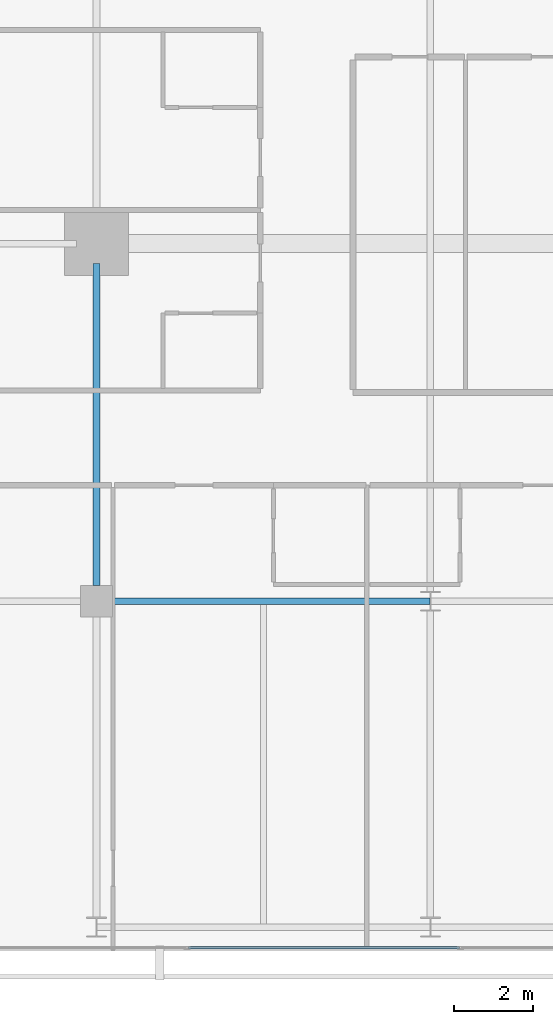
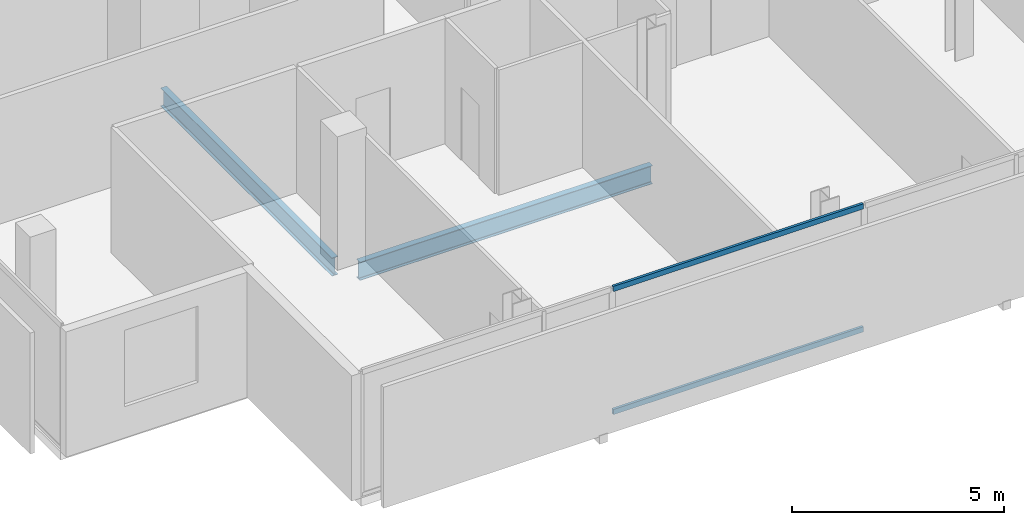
# One storey, part 5 of 25: 2 beams, 2 members, 1 element without a shape of its own.
"""IFC4 building model written with IfcOpenShell, lengths in metres."""

from ifc_helpers import new_model, si_unit, direction, frame, origin, origin_2d, place, context, subcontext, project, spatial, hollow_rectangle, i_section, extrude, material, layer, layer_set, material_profile, profile_set, type_object, element, aggregate, save


model = new_model("IFC4")

# Units and contexts
model_context = context("Model", 3, precision=1e-05, world=origin(), true_north=direction((0.0, 1.0)))
body_context = subcontext(model_context, "Body", "Model", "MODEL_VIEW")
ifc_project = project(units=[si_unit("LENGTHUNIT", "METRE"), si_unit("AREAUNIT", "SQUARE_METRE"), si_unit("VOLUMEUNIT", "CUBIC_METRE"), si_unit("PLANEANGLEUNIT", "RADIAN"), si_unit("MASSUNIT", "GRAM", prefix="KILO")], contexts=[model_context])

# Site, building, storey
site_placement = place(None, origin())
site = spatial("IfcSite", under=ifc_project, at=site_placement, CompositionType="ELEMENT")
building_placement = place(site_placement, origin())
building = spatial("IfcBuilding", under=site, at=building_placement, Name="Maruvema Waterfront Hotel and Observation Tower", CompositionType="ELEMENT")
storey_placement = place(building_placement, frame((0.0, 0.0, 297.14990234375)))
storey = spatial("IfcBuildingStorey", under=building, at=storey_placement, Name="L73", CompositionType="ELEMENT", Elevation=297.14990234375)

# Curtain wall, members
ifc_material_1 = material(Name="Anodised bronze aluminium and solar-control low-E IGU", Category="aluminium")
ifc_layer = layer(ifc_material_1, 0.159912109375, Name="Zone 3 Champagne Inner Thermal Curtain Wall System CW-04")
ifc_layer_set = layer_set([ifc_layer], Name="Anodised bronze aluminium and solar-control low-E IGU")
curtain_wall_type = type_object("IfcCurtainWallType", Name="Zone 3 Champagne Inner Thermal Curtain Wall System CW-04", PredefinedType="USERDEFINED", material=ifc_layer_set)
curtain_wall_placement = place(storey_placement, origin())
curtain_wall = element("IfcCurtainWall", 1, at=curtain_wall_placement, inside=storey, type_object=curtain_wall_type, Name="L73 Curtain Wall CW-L73-S", ObjectType="UNITISED CURTAIN WALL", PredefinedType="USERDEFINED")
ifc_material_2 = material(Name="Anodised architectural bronze aluminium", Category="aluminium")
ifc_material_profile_1 = material_profile(ifc_material_2, hollow_rectangle(XDim=0.070068359375, YDim=0.14990234375, WallThickness=0.00390625, at=origin_2d()), Name="ALU-T70x150")
ifc_profile_set_1 = profile_set([ifc_material_profile_1], Name="Anodised architectural bronze aluminium")
member_type = type_object("IfcMemberType", Name="Curtain Wall Horizontal Transom ALU-T70x150", PredefinedType="USERDEFINED", material=ifc_profile_set_1)
member_1_placement = place(storey_placement, frame((27.510009765625, 9.280029296875, 0.030029296875), z_axis=(1.0, 0.0, 0.0), x_axis=(0.0, 1.0, 0.0)))
member_1 = element("IfcMember", 2, at=member_1_placement, type_object=member_type, Name="CW-04 transom 2.1", ObjectType="TRANSOM", PredefinedType="USERDEFINED", context=body_context, shape_type="SweptSolid", body=[
    extrude(hollow_rectangle(XDim=0.070068359375, YDim=0.14990234375, WallThickness=0.00390625, at=origin_2d()), origin(), (0.0, 0.0, 1.0), 6.820068359375),
])
member_2_placement = place(storey_placement, frame((27.510009765625, 9.280029296875, 3.580078125), z_axis=(1.0, 0.0, 0.0), x_axis=(0.0, 1.0, 0.0)))
member_2 = element("IfcMember", 3, at=member_2_placement, type_object=member_type, Name="CW-04 transom 2.2", ObjectType="TRANSOM", PredefinedType="USERDEFINED", context=body_context, shape_type="SweptSolid", body=[
    extrude(hollow_rectangle(XDim=0.070068359375, YDim=0.14990234375, WallThickness=0.00390625, at=origin_2d()), origin(), (0.0, 0.0, 1.0), 6.820068359375),
])
aggregate(curtain_wall, [member_1, member_2])

# Beams
ifc_material_3 = material(Name="Steel ASTM A572 Grade 50", Category="steel")
ifc_material_profile_2 = material_profile(ifc_material_3, i_section(OverallWidth=0.166015625, OverallDepth=0.529052734375, WebThickness=0.009765625, FlangeThickness=0.013671875, FilletRadius=0.014892578125, at=origin_2d()), Name="W530x74.0")
ifc_profile_set_2 = profile_set([ifc_material_profile_2], Name="Steel ASTM A572 Grade 50")
beam_type = type_object("IfcBeamType", Name="Primary Floor Girder W530x74.0", PredefinedType="BEAM", material=ifc_profile_set_2)
beam_1_placement = place(storey_placement, frame((25.60009765625, 18.0, -0.50439453125), z_axis=(1.0, 0.0, 0.0), x_axis=(0.0, 1.0, 0.0)))
element("IfcBeam", 4, at=beam_1_placement, inside=storey, type_object=beam_type, Name="L73 Floor Girder EW-05", PredefinedType="BEAM", context=body_context, shape_type="SweptSolid", body=[
    extrude(i_section(OverallWidth=0.166015625, OverallDepth=0.529052734375, WebThickness=0.009765625, FlangeThickness=0.013671875, FilletRadius=0.014892578125, at=origin_2d()), origin(), (0.0, 0.0, 1.0), 7.989013671875),
])
beam_2_placement = place(storey_placement, frame((25.199951171875, 18.39990234375, -0.50439453125), z_axis=(0.0, 1.0, 0.0), x_axis=(-1.0, 0.0, 0.0)))
element("IfcBeam", 5, at=beam_2_placement, inside=storey, type_object=beam_type, Name="L73 Floor Girder NS-05", PredefinedType="BEAM", context=body_context, shape_type="SweptSolid", body=[
    extrude(i_section(OverallWidth=0.166015625, OverallDepth=0.529052734375, WebThickness=0.009765625, FlangeThickness=0.013671875, FilletRadius=0.014892578125, at=origin_2d()), origin(), (0.0, 0.0, 1.0), 8.10009765625),
])

save(model, "model.ifc")
